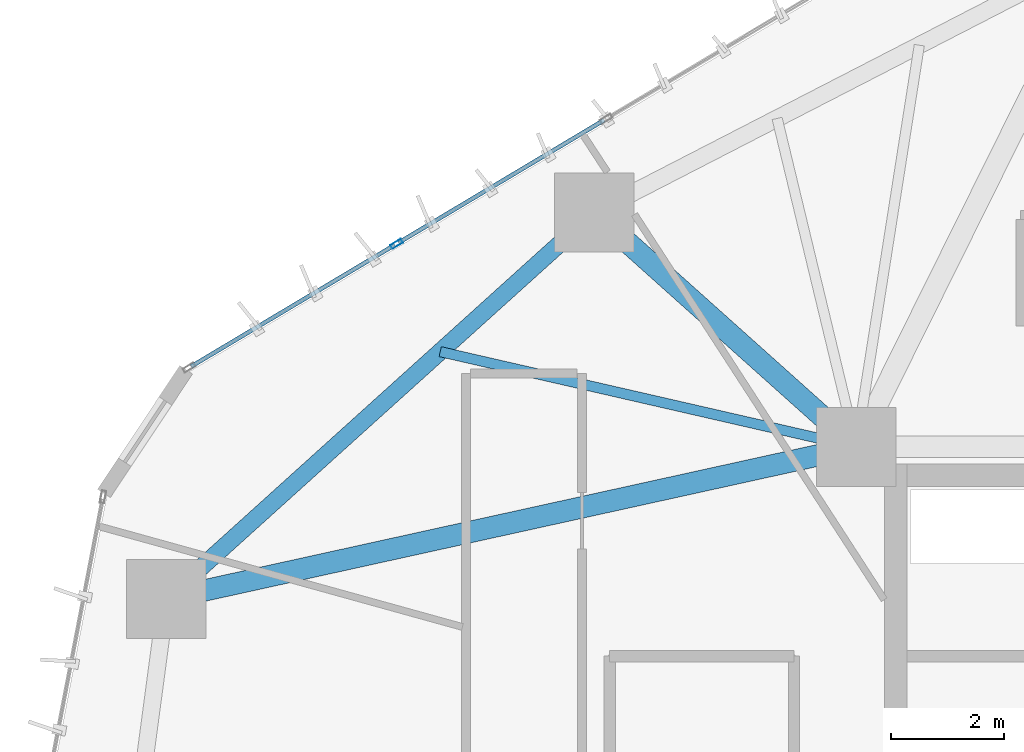
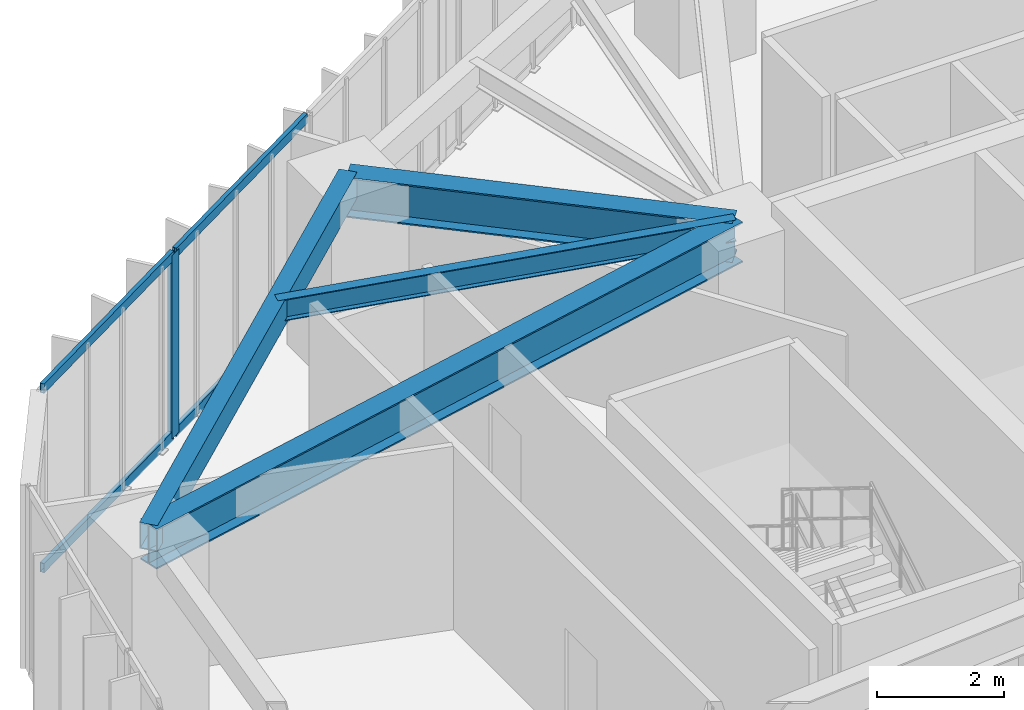
# One storey, part 7 of 23: 5 members, 4 beams, 1 element without a shape of its own.
"""IFC4 building model written with IfcOpenShell, lengths in metres."""

from ifc_helpers import new_model, si_unit, direction, frame, origin, origin_2d, place, context, subcontext, project, spatial, hollow_rectangle, i_section, extrude, source, transform, mapped, material, layer, layer_set, material_profile, profile_set, type_object, type_shapes, element, aggregate, save


model = new_model("IFC4")

# Units and contexts
model_context = context("Model", 3, precision=1e-05, world=origin(), true_north=direction((0.0, 1.0)))
body_context = subcontext(model_context, "Body", "Model", "MODEL_VIEW")
ifc_project = project(units=[si_unit("LENGTHUNIT", "METRE"), si_unit("AREAUNIT", "SQUARE_METRE"), si_unit("VOLUMEUNIT", "CUBIC_METRE"), si_unit("PLANEANGLEUNIT", "RADIAN"), si_unit("MASSUNIT", "GRAM", prefix="KILO")], contexts=[model_context])

# Site, building, storey
site_placement = place(None, origin())
site = spatial("IfcSite", under=ifc_project, at=site_placement, CompositionType="ELEMENT")
building_placement = place(site_placement, origin())
building = spatial("IfcBuilding", under=site, at=building_placement, Name="Talar Marvaseh", CompositionType="ELEMENT")
storey_placement = place(building_placement, frame((0.0, 0.0, 50.60009765625)))
storey = spatial("IfcBuildingStorey", under=building, at=storey_placement, Name="L12", CompositionType="ELEMENT", Elevation=50.60009765625)

# Beams
ifc_material_1 = material(Name="Steel S355", Category="steel")
ifc_material_profile_1 = material_profile(ifc_material_1, hollow_rectangle(XDim=0.300048828125, YDim=0.5, WallThickness=0.02001953125, at=origin_2d()), Name="RHS500x300x20")
ifc_profile_set_1 = profile_set([ifc_material_profile_1], Name="Steel S355")
beam_type_1 = type_object("IfcBeamType", Name="Zone 1 Perimeter Spandrel Beam RHS500x300x20", PredefinedType="SPANDREL", material=ifc_profile_set_1)
beam_1_placement = place(storey_placement, frame((6.501953125, 34.214111328125, 3.27001953125), z_axis=(0.742394279812, 0.669963232799, 0.0), x_axis=(-0.669963232799, 0.742394279812, 0.0)))
element("IfcBeam", 1, at=beam_1_placement, inside=storey, type_object=beam_type_1, Name="L12 Zone 1 Perimeter Spandrel Beam RHS500x300x20", PredefinedType="SPANDREL", context=body_context, shape_type="SweptSolid", body=[
    extrude(hollow_rectangle(XDim=0.300048828125, YDim=0.5, WallThickness=0.02001953125, at=origin_2d()), origin(), (0.0, 0.0, 1.0), 10.19287109375),
])
ifc_material_profile_2 = material_profile(ifc_material_1, i_section(OverallWidth=0.381103515625, OverallDepth=0.77294921875, WebThickness=0.0166015625, FlangeThickness=0.027099609375, at=origin_2d()), Name="W760x257")
ifc_profile_set_2 = profile_set([ifc_material_profile_2], Name="Steel S355")
beam_type_2 = type_object("IfcBeamType", Name="Zone 1 Radial Floor Girder W760x257", PredefinedType="BEAM", material=ifc_profile_set_2)
beam_2_placement = place(storey_placement, frame((6.501953125, 34.214111328125, 3.13330078125), z_axis=(0.976606962034, 0.215032187606, 0.0), x_axis=(-0.215032187606, 0.976606962034, 0.0)))
element("IfcBeam", 2, at=beam_2_placement, inside=storey, type_object=beam_type_2, Name="L12 Zone 1 Radial Floor Girder W760x257", PredefinedType="BEAM", context=body_context, shape_type="SweptSolid", body=[
    extrude(i_section(OverallWidth=0.381103515625, OverallDepth=0.77294921875, WebThickness=0.0166015625, FlangeThickness=0.027099609375, at=origin_2d()), origin(), (0.0, 0.0, 1.0), 12.490234375),
])
beam_3_placement = place(storey_placement, frame((14.069091796875, 41.04296875, 3.13330078125), z_axis=(0.745268030676, -0.666764997921, 0.0), x_axis=(0.666764997921, 0.745268030676, 0.0)))
element("IfcBeam", 3, at=beam_3_placement, inside=storey, type_object=beam_type_2, Name="L12 Zone 1 Radial Floor Girder W760x257", PredefinedType="BEAM", context=body_context, shape_type="SweptSolid", body=[
    extrude(i_section(OverallWidth=0.381103515625, OverallDepth=0.77294921875, WebThickness=0.0166015625, FlangeThickness=0.027099609375, at=origin_2d()), origin(), (0.0, 0.0, 1.0), 6.213623046875),
])
ifc_material_profile_3 = material_profile(ifc_material_1, i_section(OverallWidth=0.179931640625, OverallDepth=0.4130859375, WebThickness=0.009765625, FlangeThickness=0.01611328125, at=origin_2d()), Name="W410x75")
ifc_profile_set_3 = profile_set([ifc_material_profile_3], Name="Steel S355")
beam_type_3 = type_object("IfcBeamType", Name="Zone 1 Secondary Floor Joist W410x75", PredefinedType="JOIST", material=ifc_profile_set_3)
beam_4_placement = place(storey_placement, frame((11.344970703125, 38.584716796875, 3.3134765625), z_axis=(0.974752568621, -0.223287773885, 0.0), x_axis=(0.223287773885, 0.974752568621, 0.0)))
element("IfcBeam", 4, at=beam_4_placement, inside=storey, type_object=beam_type_3, Name="L12 Zone 1 Secondary Floor Joist W410x75", PredefinedType="JOIST", context=body_context, shape_type="SweptSolid", body=[
    extrude(i_section(OverallWidth=0.179931640625, OverallDepth=0.4130859375, WebThickness=0.009765625, FlangeThickness=0.01611328125, at=origin_2d()), origin(), (0.0, 0.0, 1.0), 7.54541015625),
])

# Curtain wall, members
ifc_material_2 = material(Name="Architectural Aluminium", Category="aluminium")
ifc_layer = layer(ifc_material_2, 0.219970703125)
ifc_layer_set = layer_set([ifc_layer], Name="Architectural Aluminium")
curtain_wall_type = type_object("IfcCurtainWallType", Name="Unitised Low-E Museum Curtain Wall Z1", PredefinedType="NOTDEFINED", material=ifc_layer_set)
curtain_wall_placement = place(storey_placement, origin())
curtain_wall = element("IfcCurtainWall", 5, at=curtain_wall_placement, inside=storey, type_object=curtain_wall_type, Name="L12 Unitised Low-E Museum Curtain Wall Z1", PredefinedType="NOTDEFINED")
ifc_material_profile_4 = material_profile(ifc_material_2, hollow_rectangle(XDim=0.080078125, YDim=0.219970703125, WallThickness=0.0048828125, at=origin_2d()), Name="RHS220x80x5")
ifc_profile_set_4 = profile_set([ifc_material_profile_4], Name="Architectural Aluminium")
member_type_1 = type_object("IfcMemberType", Name="Unitised Curtain Wall Heavy Mullion RHS220x80x5", PredefinedType="MULLION", material=ifc_profile_set_4)
shared_shape_1 = source(origin(), body_context, "Body", "SweptSolid", [
    extrude(hollow_rectangle(XDim=0.080078125, YDim=0.219970703125, WallThickness=0.0048828125, at=origin_2d()), origin(), (0.0, 0.0, 1.0), 3.52001953125),
])
type_shapes(member_type_1, [shared_shape_1])
member_1_placement = place(storey_placement, frame((10.575927734375, 40.490478515625, 0.0), z_axis=(0.0, 0.0, 1.0), x_axis=(-0.512310486248, 0.858800306055, 0.0)))
member_1 = element("IfcMember", 6, at=member_1_placement, type_object=member_type_1, Name="CW-Z1 mullion 2", PredefinedType="MULLION", context=body_context, shape_type="MappedRepresentation", body=[
    mapped(shared_shape_1, transform((0.0, 0.0, 0.0), x_axis=(1.0, 0.0, 0.0), y_axis=(0.0, 1.0, 0.0), z_axis=(0.0, 0.0, 1.0), scale=1.0)),
])
ifc_material_profile_5 = material_profile(ifc_material_2, hollow_rectangle(XDim=0.074951171875, YDim=0.179931640625, WallThickness=0.0048828125, at=origin_2d()), Name="RHS180x75x5")
ifc_profile_set_5 = profile_set([ifc_material_profile_5], Name="Architectural Aluminium")
member_type_2 = type_object("IfcMemberType", Name="Unitised Curtain Wall Transom RHS180x75x5", PredefinedType="USERDEFINED", material=ifc_profile_set_5)
shared_shape_2 = source(origin(), body_context, "Body", "SweptSolid", [
    extrude(hollow_rectangle(XDim=0.074951171875, YDim=0.179931640625, WallThickness=0.0048828125, at=origin_2d()), origin(), (0.0, 0.0, 1.0), 4.23193359375),
])
member_2_placement = place(storey_placement, frame((10.610107421875, 40.510986328125, 0.037353515625), z_axis=(0.858818614418, 0.512279794185, 0.0), x_axis=(-0.512279794185, 0.858818614418, 0.0)))
member_2 = element("IfcMember", 7, at=member_2_placement, type_object=member_type_2, Name="CW-Z1 transom 2.1", ObjectType="TRANSOM", PredefinedType="USERDEFINED", context=body_context, shape_type="MappedRepresentation", body=[
    mapped(shared_shape_2, transform((0.0, 0.0, 0.0), x_axis=(1.0, 0.0, 0.0), y_axis=(0.0, 1.0, 0.0), z_axis=(0.0, 0.0, 1.0), scale=1.0)),
])
member_3_placement = place(storey_placement, frame((10.610107421875, 40.510986328125, 3.482421875), z_axis=(0.858818614418, 0.512279794185, 0.0), x_axis=(-0.512279794185, 0.858818614418, 0.0)))
member_3 = element("IfcMember", 8, at=member_3_placement, type_object=member_type_2, Name="CW-Z1 transom 2.2", ObjectType="TRANSOM", PredefinedType="USERDEFINED", context=body_context, shape_type="MappedRepresentation", body=[
    mapped(shared_shape_2, transform((0.0, 0.0, 0.0), x_axis=(1.0, 0.0, 0.0), y_axis=(0.0, 1.0, 0.0), z_axis=(0.0, 0.0, 1.0), scale=1.0)),
])
shared_shape_3 = source(origin(), body_context, "Body", "SweptSolid", [
    extrude(hollow_rectangle(XDim=0.074951171875, YDim=0.179931640625, WallThickness=0.0048828125, at=origin_2d()), origin(), (0.0, 0.0, 1.0), 4.192138671875),
])
type_shapes(member_type_2, [shared_shape_2, shared_shape_3])
member_4_placement = place(storey_placement, frame((6.94140625, 38.322265625, 0.037353515625), z_axis=(0.85879028498, 0.512327284482, 0.0), x_axis=(-0.512327284482, 0.85879028498, 0.0)))
member_4 = element("IfcMember", 9, at=member_4_placement, type_object=member_type_2, Name="CW-Z1 transom 1.1", ObjectType="TRANSOM", PredefinedType="USERDEFINED", context=body_context, shape_type="MappedRepresentation", body=[
    mapped(shared_shape_3, transform((0.0, 0.0, 0.0), x_axis=(1.0, 0.0, 0.0), y_axis=(0.0, 1.0, 0.0), z_axis=(0.0, 0.0, 1.0), scale=1.0)),
])
member_5_placement = place(storey_placement, frame((6.94140625, 38.322265625, 3.482421875), z_axis=(0.85879028498, 0.512327284482, 0.0), x_axis=(-0.512327284482, 0.85879028498, 0.0)))
member_5 = element("IfcMember", 10, at=member_5_placement, type_object=member_type_2, Name="CW-Z1 transom 1.2", ObjectType="TRANSOM", PredefinedType="USERDEFINED", context=body_context, shape_type="MappedRepresentation", body=[
    mapped(shared_shape_3, transform((0.0, 0.0, 0.0), x_axis=(1.0, 0.0, 0.0), y_axis=(0.0, 1.0, 0.0), z_axis=(0.0, 0.0, 1.0), scale=1.0)),
])
aggregate(curtain_wall, [member_1, member_4, member_5, member_2, member_3])

save(model, "model.ifc")
